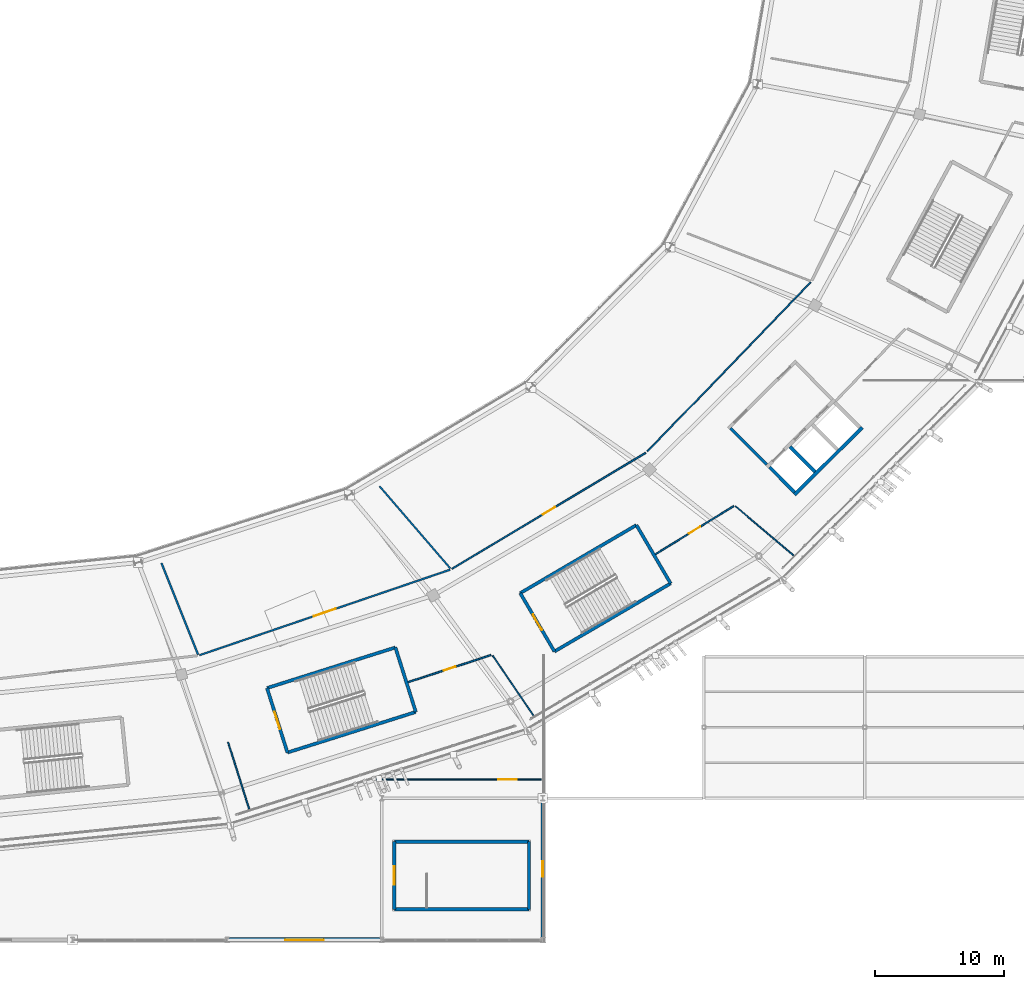
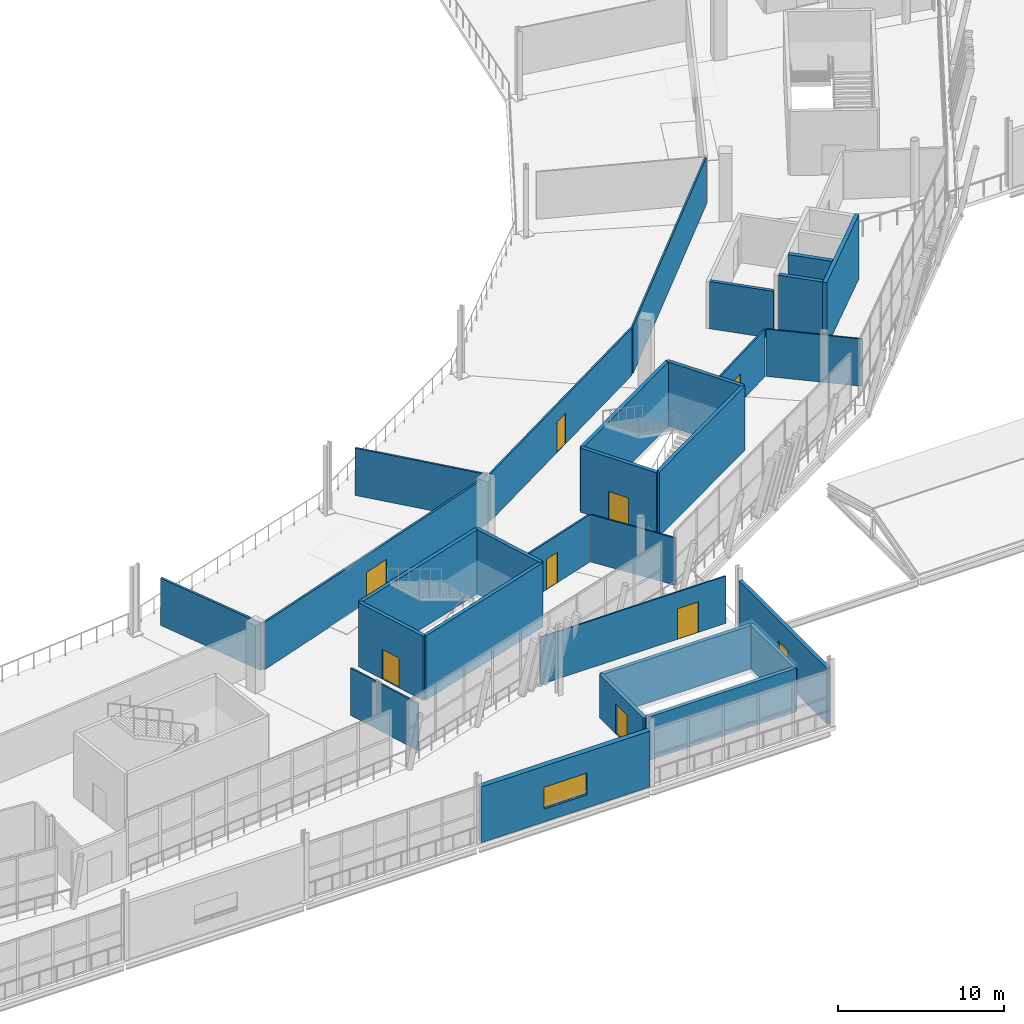
# One storey, part 129 of 179: 29 walls, 8 doors, 2 windows, 10 openings.
"""IFC4 building model written with IfcOpenShell, lengths in metres."""

from ifc_helpers import new_model, si_unit, direction, frame, frame_2d, origin, place, context, subcontext, project, spatial, rectangle, extrude, material, layer, layer_set, type_object, element, fill, save


model = new_model("IFC4")

# Units and contexts
model_context = context("Model", 3, precision=1e-05, world=origin(), true_north=direction((0.0, 1.0)))
body_context = subcontext(model_context, "Body", "Model", "MODEL_VIEW")
ifc_project = project(units=[si_unit("LENGTHUNIT", "METRE"), si_unit("AREAUNIT", "SQUARE_METRE"), si_unit("VOLUMEUNIT", "CUBIC_METRE"), si_unit("PLANEANGLEUNIT", "RADIAN"), si_unit("MASSUNIT", "GRAM", prefix="KILO")], contexts=[model_context])

# Site, building, storey
site_placement = place(None, origin())
site = spatial("IfcSite", under=ifc_project, at=site_placement, CompositionType="ELEMENT")
building_placement = place(site_placement, origin())
building = spatial("IfcBuilding", under=site, at=building_placement, Name="Zlatoyarsky Gate Stadium", CompositionType="ELEMENT")
storey_placement = place(building_placement, frame((0.0, 0.0, 10.60009765625)))
storey = spatial("IfcBuildingStorey", under=building, at=storey_placement, Name="L02", CompositionType="ELEMENT", Elevation=10.60009765625)

# Wall, opening, door
ifc_material_1 = material(Name="Anodised aluminium acoustic operable wall", Category="aluminium")
ifc_layer_1 = layer(ifc_material_1, 0.114990234375)
ifc_layer_set_1 = layer_set([ifc_layer_1], Name="Anodised aluminium acoustic operable wall")
wall_type_1 = type_object("IfcWallType", Name="ACOUSTIC OPERABLE SUITE WALL 115", PredefinedType="MOVABLE", material=ifc_layer_set_1)
wall_1_placement = place(storey_placement, frame((168.74609375, 29.935546875, 0.0), z_axis=(0.0, 0.0, 1.0), x_axis=(0.851775865218, 0.52390636132, 0.0)))
wall_1 = element("IfcWall", 1, at=wall_1_placement, inside=storey, type_object=wall_type_1, Name="L02 interior partition PRT-L02-OCC-20-1", PredefinedType="MOVABLE", context=body_context, shape_type="SweptSolid", body=[
    extrude(rectangle(XDim=7.1298828125, YDim=0.114990234375, at=frame_2d((3.56494140625, 0.0))), origin(), (0.0, 0.0, 1.0), 3.469970703125),
])
opening_1_placement = place(wall_1_placement, frame((3.0546875, 0.0, 0.0)))
opening_1 = element("IfcOpeningElement", 2, at=opening_1_placement, cuts=wall_1, Name="Opening D-L02-378", PredefinedType="OPENING", context=body_context, shape_type="SweptSolid", body=[
    extrude(rectangle(XDim=1.02001953125, YDim=2.10009765625, at=frame_2d((0.510009765625, 1.050048828125))), frame((0.0, 0.0673828125, 0.0), z_axis=(0.0, -1.0, 0.0), x_axis=(1.0, 0.0, 0.0)), (0.0, 0.0, 1.0), 0.135009765625),
])
ifc_material_2 = material(Name="Solid-core oak veneer acoustic door", Category="wood")
door_type_1 = type_object("IfcDoorType", Name="ACOUSTIC INTERIOR DOOR 1020X2100", OperationType="NOTDEFINED", PredefinedType="DOOR", material=ifc_material_2)
door_1_placement = place(opening_1_placement, origin())
door_1 = element("IfcDoor", 3, at=door_1_placement, inside=storey, type_object=door_type_1, Name="L02 room door D-L02-378", OperationType="SINGLE_SWING_RIGHT", OverallHeight=2.10009765625, OverallWidth=1.02001953125, PredefinedType="DOOR", context=body_context, shape_type="SweptSolid", body=[
    extrude(rectangle(XDim=1.02001953125, YDim=2.10009765625, at=frame_2d((0.510009765625, 1.050048828125))), frame((0.0, 0.02490234375, 0.0), z_axis=(0.0, -1.0, 0.0), x_axis=(1.0, 0.0, 0.0)), (0.0, 0.0, 1.0), 0.050048828125),
])
fill(opening_1, door_1)

ifc_material_3 = material(Name="Moisture-resistant masonry partition", Category="masonry")
ifc_layer_2 = layer(ifc_material_3, 0.139892578125)
ifc_layer_set_2 = layer_set([ifc_layer_2], Name="Moisture-resistant masonry partition")
wall_type_2 = type_object("IfcWallType", Name="ATHLETE CHANGING BLOCK PARTITION 140", PredefinedType="PARTITIONING", material=ifc_layer_set_2)
wall_2_placement = place(storey_placement, frame((133.356201171875, 22.09814453125, 0.0), z_axis=(0.0, 0.0, 1.0), x_axis=(0.946431250914, 0.322905384429, 0.0)))
wall_2 = element("IfcWall", 4, at=wall_2_placement, inside=storey, type_object=wall_type_2, Name="L02 interior partition PRT-L02-ICC-19", PredefinedType="PARTITIONING", context=body_context, shape_type="SweptSolid", body=[
    extrude(rectangle(XDim=20.552490234375, YDim=0.139892578125, at=frame_2d((10.2763671875, 0.0))), origin(), (0.0, 0.0, 1.0), 3.469970703125),
])
opening_2_placement = place(wall_2_placement, frame((9.3662109375, 0.0, 0.0)))
opening_2 = element("IfcOpeningElement", 5, at=opening_2_placement, cuts=wall_2, Name="Opening D-L02-333", PredefinedType="OPENING", context=body_context, shape_type="SweptSolid", body=[
    extrude(rectangle(XDim=1.820068359375, YDim=2.239990234375, at=frame_2d((0.91015625, 1.1201171875))), frame((0.0, 0.079833984375, 0.0), z_axis=(0.0, -1.0, 0.0), x_axis=(1.0, 0.0, 0.0)), (0.0, 0.0, 1.0), 0.159912109375),
])
ifc_material_4 = material(Name="Powder-coated steel fire door", Category="steel")
door_type_2 = type_object("IfcDoorType", Name="ACOUSTIC INTERIOR DOOR 1820X2240", OperationType="NOTDEFINED", PredefinedType="DOOR", material=ifc_material_4)
door_2_placement = place(opening_2_placement, origin())
door_2 = element("IfcDoor", 6, at=door_2_placement, inside=storey, type_object=door_type_2, Name="L02 room door D-L02-333", OperationType="SINGLE_SWING_RIGHT", OverallHeight=2.239990234375, OverallWidth=1.820068359375, PredefinedType="DOOR", context=body_context, shape_type="SweptSolid", body=[
    extrude(rectangle(XDim=1.820068359375, YDim=2.239990234375, at=frame_2d((0.91015625, 1.1201171875))), frame((0.0, 0.02490234375, 0.0), z_axis=(0.0, -1.0, 0.0), x_axis=(1.0, 0.0, 0.0)), (0.0, 0.0, 1.0), 0.050048828125),
])
fill(opening_2, door_2)

# Walls
ifc_material_5 = material(Name="Metal-stud gypsum partition", Category="gypsum")
ifc_layer_3 = layer(ifc_material_5, 0.14990234375)
ifc_layer_set_3 = layer_set([ifc_layer_3], Name="Metal-stud gypsum partition")
wall_type_3 = type_object("IfcWallType", Name="CONCOURSE CORRIDOR PARTITION 150", PredefinedType="PARTITIONING", material=ifc_layer_set_3)
wall_3_placement = place(storey_placement, frame((130.40576171875, 29.2451171875, 0.0), z_axis=(0.0, 0.0, 1.0), x_axis=(0.371412708479, -0.928467877732, 0.0)))
element("IfcWall", 7, at=wall_3_placement, inside=storey, type_object=wall_type_3, Name="L02 interior partition PRT-L02-IRD-19", PredefinedType="PARTITIONING", context=body_context, shape_type="SweptSolid", body=[
    extrude(rectangle(XDim=7.64208984375, YDim=0.14990234375, at=frame_2d((3.821044921875, 0.0))), origin(), (0.0, 0.0, 1.0), 3.469970703125),
])
ifc_material_6 = material(Name="Concrete C40/50", Category="concrete")
ifc_layer_4 = layer(ifc_material_6, 0.27001953125)
ifc_layer_set_4 = layer_set([ifc_layer_4], Name="Concrete C40/50")
wall_type_4 = type_object("IfcWallType", Name="CONCRETE LIFT SHAFT SHEAR WALL 270", PredefinedType="SHEAR", material=ifc_layer_set_4)
wall_4_placement = place(storey_placement, frame((179.547119140625, 34.556396484375, 0.0), z_axis=(0.0, 0.0, 1.0), x_axis=(0.708902567846, 0.705306422274, 0.0)))
element("IfcWall", 8, at=wall_4_placement, inside=storey, type_object=wall_type_4, Name="C4 L02 lift shaft rear wall", PredefinedType="SHEAR", context=body_context, shape_type="SweptSolid", body=[
    extrude(rectangle(XDim=7.39990234375, YDim=0.27001953125, at=frame_2d((3.699951171875, 0.0))), origin(), (0.0, 0.0, 1.0), 4.719970703125),
])
for number, where, z_axis, x_axis, name in (
    (9, (179.54052734375, 34.75439453125, 0.0), (0.0, 0.0, 1.0), (-0.705322518225, 0.708886553183, 0.0), "C4 L02 lift shaft left wall"),
    (10, (181.12841796875, 36.334228515625, 0.0), (0.0, 0.0, 1.0), (-0.705322518225, 0.708886553183, 0.0), "C4 L02 lift shaft divider 1"),
):
    element("IfcWall", number, at=place(storey_placement, frame(where, z_axis=z_axis, x_axis=x_axis)), inside=storey, type_object=wall_type_4, Name=name, PredefinedType="SHEAR", context=body_context, shape_type="SweptSolid", body=[
        extrude(rectangle(XDim=2.739990234375, YDim=0.27001953125, at=frame_2d((1.3701171875, 0.0))), origin(), (0.0, 0.0, 1.0), 4.719970703125),
    ])

# Wall, opening, door
ifc_layer_5 = layer(ifc_material_6, 0.25)
ifc_layer_set_5 = layer_set([ifc_layer_5], Name="Concrete C40/50")
wall_type_5 = type_object("IfcWallType", Name="CONCRETE STAIR CORE SHEAR WALL 250", PredefinedType="SHEAR", material=ifc_layer_set_5)
wall_5_placement = place(storey_placement, frame((158.25341796875, 26.916015625, 0.0), z_axis=(0.0, 0.0, 1.0), x_axis=(0.505460490551, -0.862849750821, 0.0)))
wall_5 = element("IfcWall", 11, at=wall_5_placement, inside=storey, type_object=wall_type_5, Name="ST-11 L02 stair core entrance shear wall", PredefinedType="SHEAR", context=body_context, shape_type="SweptSolid", body=[
    extrude(rectangle(XDim=5.249755859375, YDim=0.25, at=frame_2d((2.625, 0.0))), origin(), (0.0, 0.0, 1.0), 4.719970703125),
])
opening_3_placement = place(wall_5_placement, frame((1.925048828125, 0.0, 0.0)))
opening_3 = element("IfcOpeningElement", 12, at=opening_3_placement, cuts=wall_5, Name="Opening SD-ST-11-L02", PredefinedType="OPENING", context=body_context, shape_type="SweptSolid", body=[
    extrude(rectangle(XDim=1.39990234375, YDim=2.199951171875, at=frame_2d((0.699951171875, 1.10009765625))), frame((0.0, 0.135009765625, 0.0), z_axis=(0.0, -1.0, 0.0), x_axis=(1.0, 0.0, 0.0)), (0.0, 0.0, 1.0), 0.27001953125),
])
door_type_3 = type_object("IfcDoorType", Name="STAIR CORE FIRE EXIT DOOR 1400X2200", OperationType="NOTDEFINED", PredefinedType="DOOR", material=ifc_material_4)
door_3_placement = place(opening_3_placement, frame((1.39990234375, 0.0, 0.0), z_axis=(0.0, 0.0, 1.0), x_axis=(-1.0, 0.0, 0.0)))
door_3 = element("IfcDoor", 13, at=door_3_placement, inside=storey, type_object=door_type_3, Name="ST-11 L02 stair fire door", OperationType="SINGLE_SWING_RIGHT", OverallHeight=2.199951171875, OverallWidth=1.39990234375, PredefinedType="DOOR", context=body_context, shape_type="SweptSolid", body=[
    extrude(rectangle(XDim=1.39990234375, YDim=2.199951171875, at=frame_2d((0.699951171875, 1.10009765625))), frame((0.0, 0.02490234375, 0.0), z_axis=(0.0, -1.0, 0.0), x_axis=(1.0, 0.0, 0.0)), (0.0, 0.0, 1.0), 0.050048828125),
])
fill(opening_3, door_3)

# Walls
wall_6_placement = place(storey_placement, frame((160.906982421875, 22.38623046875, 0.0), z_axis=(0.0, 0.0, 1.0), x_axis=(0.862854686184, 0.505452065513, 0.0)))
element("IfcWall", 14, at=wall_6_placement, inside=storey, type_object=wall_type_5, Name="ST-11 L02 stair core left shear wall", PredefinedType="SHEAR", context=body_context, shape_type="SweptSolid", body=[
    extrude(rectangle(XDim=10.449951171875, YDim=0.25, at=frame_2d((5.22509765625, 0.0))), origin(), (0.0, 0.0, 1.0), 4.719970703125),
])
wall_7_placement = place(storey_placement, frame((169.923828125, 27.668212890625, 0.0), z_axis=(0.0, 0.0, 1.0), x_axis=(-0.505474830399, 0.862841350327, 0.0)))
element("IfcWall", 15, at=wall_7_placement, inside=storey, type_object=wall_type_5, Name="ST-11 L02 stair core far shear wall", PredefinedType="SHEAR", context=body_context, shape_type="SweptSolid", body=[
    extrude(rectangle(XDim=5.250244140625, YDim=0.25, at=frame_2d((2.625, 0.0))), origin(), (0.0, 0.0, 1.0), 4.719970703125),
])
wall_8_placement = place(storey_placement, frame((167.27001953125, 32.1982421875, 0.0), z_axis=(0.0, 0.0, 1.0), x_axis=(-0.862838527648, -0.505479648657, 0.0)))
element("IfcWall", 16, at=wall_8_placement, inside=storey, type_object=wall_type_5, Name="ST-11 L02 stair core right shear wall", PredefinedType="SHEAR", context=body_context, shape_type="SweptSolid", body=[
    extrude(rectangle(XDim=10.449951171875, YDim=0.25, at=frame_2d((5.22509765625, 0.0))), origin(), (0.0, 0.0, 1.0), 4.719970703125),
])

# Wall, opening, door
wall_9_placement = place(storey_placement, frame((138.599609375, 19.5478515625, 0.0), z_axis=(0.0, 0.0, 1.0), x_axis=(0.30152749866, -0.953457480726, 0.0)))
wall_9 = element("IfcWall", 17, at=wall_9_placement, inside=storey, type_object=wall_type_5, Name="ST-16 L02 stair core entrance shear wall", PredefinedType="SHEAR", context=body_context, shape_type="SweptSolid", body=[
    extrude(rectangle(XDim=5.25, YDim=0.25, at=frame_2d((2.625, 0.0))), origin(), (0.0, 0.0, 1.0), 4.719970703125),
])
opening_4_placement = place(wall_9_placement, frame((1.925048828125, 0.0, 0.0)))
opening_4 = element("IfcOpeningElement", 18, at=opening_4_placement, cuts=wall_9, Name="Opening SD-ST-16-L02", PredefinedType="OPENING", context=body_context, shape_type="SweptSolid", body=[
    extrude(rectangle(XDim=1.39990234375, YDim=2.199951171875, at=frame_2d((0.699951171875, 1.10009765625))), frame((0.0, 0.135009765625, 0.0), z_axis=(0.0, -1.0, 0.0), x_axis=(1.0, 0.0, 0.0)), (0.0, 0.0, 1.0), 0.27001953125),
])
door_4_placement = place(opening_4_placement, frame((1.39990234375, 0.0, 0.0), z_axis=(0.0, 0.0, 1.0), x_axis=(-1.0, 0.0, 0.0)))
door_4 = element("IfcDoor", 19, at=door_4_placement, inside=storey, type_object=door_type_3, Name="ST-16 L02 stair fire door", OperationType="SINGLE_SWING_RIGHT", OverallHeight=2.199951171875, OverallWidth=1.39990234375, PredefinedType="DOOR", context=body_context, shape_type="SweptSolid", body=[
    extrude(rectangle(XDim=1.39990234375, YDim=2.199951171875, at=frame_2d((0.699951171875, 1.10009765625))), frame((0.0, 0.02490234375, 0.0), z_axis=(0.0, -1.0, 0.0), x_axis=(1.0, 0.0, 0.0)), (0.0, 0.0, 1.0), 0.050048828125),
])
fill(opening_4, door_4)

# Walls
wall_10_placement = place(storey_placement, frame((140.1826171875, 14.542236328125, 0.0), z_axis=(0.0, 0.0, 1.0), x_axis=(0.953459710305, 0.301520448438, 0.0)))
element("IfcWall", 20, at=wall_10_placement, inside=storey, type_object=wall_type_5, Name="ST-16 L02 stair core left shear wall", PredefinedType="SHEAR", context=body_context, shape_type="SweptSolid", body=[
    extrude(rectangle(XDim=10.449951171875, YDim=0.25, at=frame_2d((5.22509765625, 0.0))), origin(), (0.0, 0.0, 1.0), 4.719970703125),
])
wall_11_placement = place(storey_placement, frame((150.146240234375, 17.693115234375, 0.0), z_axis=(0.0, 0.0, 1.0), x_axis=(-0.30152749866, 0.953457480726, 0.0)))
element("IfcWall", 21, at=wall_11_placement, inside=storey, type_object=wall_type_5, Name="ST-16 L02 stair core far shear wall", PredefinedType="SHEAR", context=body_context, shape_type="SweptSolid", body=[
    extrude(rectangle(XDim=5.25, YDim=0.25, at=frame_2d((2.625, 0.0))), origin(), (0.0, 0.0, 1.0), 4.719970703125),
])
wall_12_placement = place(storey_placement, frame((148.563232421875, 22.69873046875, 0.0), z_axis=(0.0, 0.0, 1.0), x_axis=(-0.953459710305, -0.301520448438, 0.0)))
element("IfcWall", 22, at=wall_12_placement, inside=storey, type_object=wall_type_5, Name="ST-16 L02 stair core right shear wall", PredefinedType="SHEAR", context=body_context, shape_type="SweptSolid", body=[
    extrude(rectangle(XDim=10.449951171875, YDim=0.25, at=frame_2d((5.22509765625, 0.0))), origin(), (0.0, 0.0, 1.0), 4.719970703125),
])

# Wall, opening, door
wall_13_placement = place(storey_placement, frame((148.47509765625, 7.625, 0.0), z_axis=(0.0, 0.0, 1.0), x_axis=(0.0, -1.0, 0.0)))
wall_13 = element("IfcWall", 23, at=wall_13_placement, inside=storey, type_object=wall_type_5, Name="ST-30 L02 stair core entrance shear wall", PredefinedType="SHEAR", context=body_context, shape_type="SweptSolid", body=[
    extrude(rectangle(XDim=5.25, YDim=0.25, at=frame_2d((2.625, 0.0))), origin(), (0.0, 0.0, 1.0), 3.199951171875),
])
opening_5_placement = place(wall_13_placement, frame((1.925048828125, 0.0, 0.0)))
opening_5 = element("IfcOpeningElement", 24, at=opening_5_placement, cuts=wall_13, Name="Opening SD-ST-30-L02", PredefinedType="OPENING", context=body_context, shape_type="SweptSolid", body=[
    extrude(rectangle(XDim=1.39990234375, YDim=2.199951171875, at=frame_2d((0.699951171875, 1.10009765625))), frame((0.0, 0.135009765625, 0.0), z_axis=(0.0, -1.0, 0.0), x_axis=(1.0, 0.0, 0.0)), (0.0, 0.0, 1.0), 0.27001953125),
])
door_5_placement = place(opening_5_placement, frame((1.39990234375, 0.0, 0.0), z_axis=(0.0, 0.0, 1.0), x_axis=(-1.0, 0.0, 0.0)))
door_5 = element("IfcDoor", 25, at=door_5_placement, inside=storey, type_object=door_type_3, Name="ST-30 L02 stair fire door", OperationType="SINGLE_SWING_RIGHT", OverallHeight=2.199951171875, OverallWidth=1.39990234375, PredefinedType="DOOR", context=body_context, shape_type="SweptSolid", body=[
    extrude(rectangle(XDim=1.39990234375, YDim=2.199951171875, at=frame_2d((0.699951171875, 1.10009765625))), frame((0.0, 0.02490234375, 0.0), z_axis=(0.0, -1.0, 0.0), x_axis=(1.0, 0.0, 0.0)), (0.0, 0.0, 1.0), 0.050048828125),
])
fill(opening_5, door_5)

# Walls
wall_14_placement = place(storey_placement, frame((148.47509765625, 2.375, 0.0), z_axis=(0.0, 0.0, 1.0), x_axis=(1.0, 0.0, 0.0)))
element("IfcWall", 26, at=wall_14_placement, inside=storey, type_object=wall_type_5, Name="ST-30 L02 stair core left shear wall", PredefinedType="SHEAR", context=body_context, shape_type="SweptSolid", body=[
    extrude(rectangle(XDim=10.449951171875, YDim=0.25, at=frame_2d((5.22509765625, 0.0))), origin(), (0.0, 0.0, 1.0), 3.199951171875),
])
wall_15_placement = place(storey_placement, frame((158.925048828125, 2.375, 0.0), z_axis=(0.0, 0.0, 1.0), x_axis=(0.0, 1.0, 0.0)))
element("IfcWall", 27, at=wall_15_placement, inside=storey, type_object=wall_type_5, Name="ST-30 L02 stair core far shear wall", PredefinedType="SHEAR", context=body_context, shape_type="SweptSolid", body=[
    extrude(rectangle(XDim=5.25, YDim=0.25, at=frame_2d((2.625, 0.0))), origin(), (0.0, 0.0, 1.0), 3.199951171875),
])
wall_16_placement = place(storey_placement, frame((158.925048828125, 7.625, 0.0), z_axis=(0.0, 0.0, 1.0), x_axis=(-1.0, 0.0, 0.0)))
element("IfcWall", 28, at=wall_16_placement, inside=storey, type_object=wall_type_5, Name="ST-30 L02 stair core right shear wall", PredefinedType="SHEAR", context=body_context, shape_type="SweptSolid", body=[
    extrude(rectangle(XDim=10.449951171875, YDim=0.25, at=frame_2d((5.22509765625, 0.0))), origin(), (0.0, 0.0, 1.0), 3.199951171875),
])
ifc_material_7 = material(Name="Autoclaved aerated concrete masonry EI 120", Category="masonry")
ifc_layer_6 = layer(ifc_material_7, 0.219970703125)
ifc_layer_set_6 = layer_set([ifc_layer_6], Name="Autoclaved aerated concrete masonry EI 120")
wall_type_6 = type_object("IfcWallType", Name="FIREFIGHTING LOBBY RATED WALL 220", PredefinedType="PARTITIONING", material=ifc_layer_set_6)
wall_17_placement = place(storey_placement, frame((177.378662109375, 36.8916015625, 0.0), z_axis=(0.0, 0.0, 1.0), x_axis=(-0.705294916294, 0.708914015273, 0.0)))
element("IfcWall", 29, at=wall_17_placement, inside=storey, type_object=wall_type_6, Name="C4 L02 firefighting lobby left wall", PredefinedType="PARTITIONING", context=body_context, shape_type="SweptSolid", body=[
    extrude(rectangle(XDim=3.97998046875, YDim=0.219970703125, at=frame_2d((1.989990234375, 0.0))), origin(), (0.0, 0.0, 1.0), 3.469970703125),
])
ifc_material_8 = material(Name="Timber-veneered acoustic operable partition", Category="wood")
ifc_layer_7 = layer(ifc_material_8, 0.094970703125)
ifc_layer_set_7 = layer_set([ifc_layer_7], Name="Timber-veneered acoustic operable partition")
wall_type_7 = type_object("IfcWallType", Name="FOLDING BANQUET SALON WALL 95", PredefinedType="MOVABLE", material=ifc_layer_set_7)
wall_18_placement = place(storey_placement, frame((174.956298828125, 33.660400390625, 0.0), z_axis=(0.0, 0.0, 1.0), x_axis=(0.762794558075, -0.646640906664, 0.0)))
element("IfcWall", 30, at=wall_18_placement, inside=storey, type_object=wall_type_7, Name="L02 interior partition PRT-L02-ORD-20R", PredefinedType="MOVABLE", context=body_context, shape_type="SweptSolid", body=[
    extrude(rectangle(XDim=5.9189453125, YDim=0.094970703125, at=frame_2d((2.95947265625, 0.0))), origin(), (0.0, 0.0, 1.0), 3.469970703125),
])

# Wall, opening, door
wall_19_placement = place(storey_placement, frame((147.01806640625, 12.449951171875, 0.0), z_axis=(0.0, 0.0, 1.0), x_axis=(1.0, 0.0, 0.0)))
wall_19 = element("IfcWall", 31, at=wall_19_placement, inside=storey, type_object=wall_type_7, Name="L02 interior partition PRT-L02-V3SC-N2", PredefinedType="MOVABLE", context=body_context, shape_type="SweptSolid", body=[
    extrude(rectangle(XDim=12.876953125, YDim=0.094970703125, at=frame_2d((6.4384765625, 0.0))), origin(), (0.0, 0.0, 1.0), 3.469970703125),
])
opening_6_placement = place(wall_19_placement, frame((9.52685546875, 0.0, 0.0)))
opening_6 = element("IfcOpeningElement", 32, at=opening_6_placement, cuts=wall_19, Name="Opening D-L02-389", PredefinedType="OPENING", context=body_context, shape_type="SweptSolid", body=[
    extrude(rectangle(XDim=1.43994140625, YDim=2.239990234375, at=frame_2d((0.719970703125, 1.1201171875))), frame((0.0, 0.057373046875, 0.0), z_axis=(0.0, -1.0, 0.0), x_axis=(1.0, 0.0, 0.0)), (0.0, 0.0, 1.0), 0.114990234375),
])
door_type_4 = type_object("IfcDoorType", Name="ACOUSTIC INTERIOR DOOR 1440X2240", OperationType="NOTDEFINED", PredefinedType="DOOR", material=ifc_material_2)
door_6_placement = place(opening_6_placement, origin())
door_6 = element("IfcDoor", 33, at=door_6_placement, inside=storey, type_object=door_type_4, Name="L02 room door D-L02-389", OperationType="SINGLE_SWING_LEFT", OverallHeight=2.239990234375, OverallWidth=1.43994140625, PredefinedType="DOOR", context=body_context, shape_type="SweptSolid", body=[
    extrude(rectangle(XDim=1.43994140625, YDim=2.239990234375, at=frame_2d((0.719970703125, 1.1201171875))), frame((0.0, 0.02490234375, 0.0), z_axis=(0.0, -1.0, 0.0), x_axis=(1.0, 0.0, 0.0)), (0.0, 0.0, 1.0), 0.050048828125),
])
fill(opening_6, door_6)

# Walls
ifc_layer_8 = layer(ifc_material_5, 0.110107421875)
ifc_layer_set_8 = layer_set([ifc_layer_8], Name="Metal-stud gypsum partition")
wall_type_8 = type_object("IfcWallType", Name="KIOSK SERVICE PARTITION 110", PredefinedType="PARTITIONING", material=ifc_layer_set_8)
wall_20_placement = place(storey_placement, frame((168.126220703125, 37.913818359375, 0.0), z_axis=(0.0, 0.0, 1.0), x_axis=(0.694152902324, 0.719827582269, 0.0)))
element("IfcWall", 34, at=wall_20_placement, inside=storey, type_object=wall_type_8, Name="L02 interior partition PRT-L02-ICC-21M", PredefinedType="PARTITIONING", context=body_context, shape_type="SweptSolid", body=[
    extrude(rectangle(XDim=18.247802734375, YDim=0.110107421875, at=frame_2d((9.1240234375, 0.0))), origin(), (0.0, 0.0, 1.0), 3.469970703125),
])
wall_21_placement = place(storey_placement, frame((135.573974609375, 15.342529296875, 0.0), z_axis=(0.0, 0.0, 1.0), x_axis=(0.30132557839, -0.953521313767, 0.0)))
element("IfcWall", 35, at=wall_21_placement, inside=storey, type_object=wall_type_8, Name="L02 interior partition PRT-L02-ORD-19L", PredefinedType="PARTITIONING", context=body_context, shape_type="SweptSolid", body=[
    extrude(rectangle(XDim=5.474609375, YDim=0.110107421875, at=frame_2d((2.7373046875, 0.0))), origin(), (0.0, 0.0, 1.0), 3.469970703125),
])
ifc_layer_9 = layer(ifc_material_5, 0.10009765625)
ifc_layer_set_9 = layer_set([ifc_layer_9], Name="Metal-stud gypsum partition")
wall_type_9 = type_object("IfcWallType", Name="LIGHT STORAGE PARTITION 100", PredefinedType="PARTITIONING", material=ifc_layer_set_9)
wall_22_placement = place(storey_placement, frame((156.11083984375, 22.064697265625, 0.0), z_axis=(0.0, 0.0, 1.0), x_axis=(0.562852959549, -0.826557043359, 0.0)))
element("IfcWall", 36, at=wall_22_placement, inside=storey, type_object=wall_type_9, Name="L02 interior partition PRT-L02-ORD-19R", PredefinedType="PARTITIONING", context=body_context, shape_type="SweptSolid", body=[
    extrude(rectangle(XDim=5.668701171875, YDim=0.10009765625, at=frame_2d((2.83447265625, 0.0))), origin(), (0.0, 0.0, 1.0), 3.469970703125),
])

# Wall, opening, window
ifc_material_9 = material(Name="Limestone-faced insulated masonry wall", Category="masonry")
ifc_layer_10 = layer(ifc_material_9, 0.360107421875)
ifc_layer_set_10 = layer_set([ifc_layer_10], Name="Limestone-faced insulated masonry wall")
wall_type_10 = type_object("IfcWallType", Name="LIMESTONE CLAD CAVITY WALL 360", PredefinedType="STANDARD", material=ifc_layer_set_10)
wall_23_placement = place(storey_placement, frame((135.64697265625, 0.0, 0.0), z_axis=(0.0, 0.0, 1.0), x_axis=(1.0, 0.0, 0.0)))
wall_23 = element("IfcWall", 37, at=wall_23_placement, inside=storey, type_object=wall_type_10, Name="V3_SOUTH L02 S exterior wall", PredefinedType="STANDARD", context=body_context, shape_type="SweptSolid", body=[
    extrude(rectangle(XDim=11.7060546875, YDim=0.360107421875, at=frame_2d((5.85302734375, 0.0))), origin(), (0.0, 0.0, 1.0), 4.099853515625),
])
opening_7_placement = place(wall_23_placement, frame((4.35302734375, 0.0, 0.949951171875)))
opening_7 = element("IfcOpeningElement", 38, at=opening_7_placement, cuts=wall_23, Name="Opening WN-26", PredefinedType="OPENING", context=body_context, shape_type="SweptSolid", body=[
    extrude(rectangle(XDim=3.0, YDim=1.60009765625, at=frame_2d((1.5, 0.800048828125))), frame((0.0, 0.18994140625, 0.0), z_axis=(0.0, -1.0, 0.0), x_axis=(1.0, 0.0, 0.0)), (0.0, 0.0, 1.0), 0.380126953125),
])
ifc_material_10 = material(Name="Triple-glazed thermally broken aluminium window", Category="aluminium")
window_type_1 = type_object("IfcWindowType", Name="TRIPLE GLAZED ALUMINIUM WINDOW 3000X1600", PartitioningType="SINGLE_PANEL", PredefinedType="WINDOW", material=ifc_material_10)
window_1_placement = place(opening_7_placement, origin())
window_1 = element("IfcWindow", 39, at=window_1_placement, inside=storey, type_object=window_type_1, Name="Exterior window WIN-L02-026", OverallHeight=1.60009765625, OverallWidth=3.0, PartitioningType="SINGLE_PANEL", PredefinedType="WINDOW", context=body_context, shape_type="SweptSolid", body=[
    extrude(rectangle(XDim=3.0, YDim=1.60009765625, at=frame_2d((1.5, 0.800048828125))), frame((0.0, 0.030029296875, 0.0), z_axis=(0.0, -1.0, 0.0), x_axis=(1.0, 0.0, 0.0)), (0.0, 0.0, 1.0), 0.06005859375),
])
fill(opening_7, window_1)

# Wall, opening, door
ifc_layer_11 = layer(ifc_material_5, 0.1201171875)
ifc_layer_set_11 = layer_set([ifc_layer_11], Name="Metal-stud gypsum partition")
wall_type_11 = type_object("IfcWallType", Name="OFFICE AND PRESS PARTITION 120", PredefinedType="PARTITIONING", material=ifc_layer_set_11)
wall_24_placement = place(storey_placement, frame((152.9609375, 28.8056640625, 0.0), z_axis=(0.0, 0.0, 1.0), x_axis=(0.857917981931, 0.513786664171, 0.0)))
wall_24 = element("IfcWall", 40, at=wall_24_placement, inside=storey, type_object=wall_type_11, Name="L02 interior partition PRT-L02-ICC-20", PredefinedType="PARTITIONING", context=body_context, shape_type="SweptSolid", body=[
    extrude(rectangle(XDim=17.523193359375, YDim=0.1201171875, at=frame_2d((8.76171875, 0.0))), origin(), (0.0, 0.0, 1.0), 3.469970703125),
])
opening_8_placement = place(wall_24_placement, frame((8.2216796875, 0.0, 0.0)))
opening_8 = element("IfcOpeningElement", 41, at=opening_8_placement, cuts=wall_24, Name="Opening D-L02-335", PredefinedType="OPENING", context=body_context, shape_type="SweptSolid", body=[
    extrude(rectangle(XDim=1.080078125, YDim=2.239990234375, at=frame_2d((0.5400390625, 1.1201171875))), frame((0.0, 0.070068359375, 0.0), z_axis=(0.0, -1.0, 0.0), x_axis=(1.0, 0.0, 0.0)), (0.0, 0.0, 1.0), 0.14013671875),
])
door_type_5 = type_object("IfcDoorType", Name="ACOUSTIC INTERIOR DOOR 1080X2240", OperationType="NOTDEFINED", PredefinedType="DOOR", material=ifc_material_2)
door_7_placement = place(opening_8_placement, origin())
door_7 = element("IfcDoor", 42, at=door_7_placement, inside=storey, type_object=door_type_5, Name="L02 room door D-L02-335", OperationType="SINGLE_SWING_LEFT", OverallHeight=2.239990234375, OverallWidth=1.080078125, PredefinedType="DOOR", context=body_context, shape_type="SweptSolid", body=[
    extrude(rectangle(XDim=1.080078125, YDim=2.239990234375, at=frame_2d((0.5400390625, 1.1201171875))), frame((0.0, 0.02490234375, 0.0), z_axis=(0.0, -1.0, 0.0), x_axis=(1.0, 0.0, 0.0)), (0.0, 0.0, 1.0), 0.050048828125),
])
fill(opening_8, door_7)

wall_25_placement = place(storey_placement, frame((149.551513671875, 20.004638671875, 0.0), z_axis=(0.0, 0.0, 1.0), x_axis=(0.950436489512, 0.310918766567, 0.0)))
wall_25 = element("IfcWall", 43, at=wall_25_placement, inside=storey, type_object=wall_type_11, Name="L02 interior partition PRT-L02-OCC-19-1", PredefinedType="PARTITIONING", context=body_context, shape_type="SweptSolid", body=[
    extrude(rectangle(XDim=6.766357421875, YDim=0.1201171875, at=frame_2d((3.38330078125, 0.0))), origin(), (0.0, 0.0, 1.0), 3.469970703125),
])
opening_9_placement = place(wall_25_placement, frame((2.903076171875, 0.0, 0.0)))
opening_9 = element("IfcOpeningElement", 44, at=opening_9_placement, cuts=wall_25, Name="Opening D-L02-375", PredefinedType="OPENING", context=body_context, shape_type="SweptSolid", body=[
    extrude(rectangle(XDim=0.9599609375, YDim=2.239990234375, at=frame_2d((0.47998046875, 1.1201171875))), frame((0.0, 0.070068359375, 0.0), z_axis=(0.0, -1.0, 0.0), x_axis=(1.0, 0.0, 0.0)), (0.0, 0.0, 1.0), 0.14013671875),
])
door_type_6 = type_object("IfcDoorType", Name="ACOUSTIC INTERIOR DOOR 960X2240", OperationType="NOTDEFINED", PredefinedType="DOOR", material=ifc_material_2)
door_8_placement = place(opening_9_placement, origin())
door_8 = element("IfcDoor", 45, at=door_8_placement, inside=storey, type_object=door_type_6, Name="L02 room door D-L02-375", OperationType="SINGLE_SWING_LEFT", OverallHeight=2.239990234375, OverallWidth=0.9599609375, PredefinedType="DOOR", context=body_context, shape_type="SweptSolid", body=[
    extrude(rectangle(XDim=0.9599609375, YDim=2.239990234375, at=frame_2d((0.47998046875, 1.1201171875))), frame((0.0, 0.02490234375, 0.0), z_axis=(0.0, -1.0, 0.0), x_axis=(1.0, 0.0, 0.0)), (0.0, 0.0, 1.0), 0.050048828125),
])
fill(opening_9, door_8)

# Wall, opening, window
ifc_layer_12 = layer(ifc_material_9, 0.260009765625)
ifc_layer_set_12 = layer_set([ifc_layer_12], Name="Limestone-faced insulated masonry wall")
wall_type_12 = type_object("IfcWallType", Name="PORTICO COLONNADE PLINTH WALL 260", PredefinedType="STANDARD", material=ifc_layer_set_12)
wall_26_placement = place(storey_placement, frame((160.0, 0.197021484375, 0.0), z_axis=(0.0, 0.0, 1.0), x_axis=(0.0, 1.0, 0.0)))
wall_26 = element("IfcWall", 46, at=wall_26_placement, inside=storey, type_object=wall_type_12, Name="V3_SOUTH L02 E exterior wall", PredefinedType="STANDARD", context=body_context, shape_type="SweptSolid", body=[
    extrude(rectangle(XDim=10.60595703125, YDim=0.260009765625, at=frame_2d((5.302978515625, 0.0))), origin(), (0.0, 0.0, 1.0), 4.099853515625),
])
opening_10_placement = place(wall_26_placement, frame((4.702880859375, 0.0, 0.949951171875)))
opening_10 = element("IfcOpeningElement", 47, at=opening_10_placement, cuts=wall_26, Name="Opening WN-02", PredefinedType="OPENING", context=body_context, shape_type="SweptSolid", body=[
    extrude(rectangle(XDim=1.199951171875, YDim=1.60009765625, at=frame_2d((0.60009765625, 0.800048828125))), frame((0.0, 0.139892578125, 0.0), z_axis=(0.0, -1.0, 0.0), x_axis=(1.0, 0.0, 0.0)), (0.0, 0.0, 1.0), 0.280029296875),
])
window_type_2 = type_object("IfcWindowType", Name="TRIPLE GLAZED ALUMINIUM WINDOW 1200X1600", PartitioningType="SINGLE_PANEL", PredefinedType="WINDOW", material=ifc_material_10)
window_2_placement = place(opening_10_placement, origin())
window_2 = element("IfcWindow", 48, at=window_2_placement, inside=storey, type_object=window_type_2, Name="Exterior window WIN-L02-030", OverallHeight=1.60009765625, OverallWidth=1.199951171875, PartitioningType="SINGLE_PANEL", PredefinedType="WINDOW", context=body_context, shape_type="SweptSolid", body=[
    extrude(rectangle(XDim=1.199951171875, YDim=1.60009765625, at=frame_2d((0.60009765625, 0.800048828125))), frame((0.0, 0.030029296875, 0.0), z_axis=(0.0, -1.0, 0.0), x_axis=(1.0, 0.0, 0.0)), (0.0, 0.0, 1.0), 0.06005859375),
])
fill(opening_10, window_2)

# Wall
ifc_material_11 = material(Name="Moisture-resistant tile-backed partition", Category="gypsum")
ifc_layer_13 = layer(ifc_material_11, 0.1298828125)
ifc_layer_set_13 = layer_set([ifc_layer_13], Name="Moisture-resistant tile-backed partition")
wall_type_13 = type_object("IfcWallType", Name="SANITARY WET ROOM PARTITION 130", PredefinedType="PARTITIONING", material=ifc_layer_set_13)
wall_27_placement = place(storey_placement, frame((147.333984375, 35.209228515625, 0.0), z_axis=(0.0, 0.0, 1.0), x_axis=(0.652674734668, -0.757638232091, 0.0)))
element("IfcWall", 49, at=wall_27_placement, inside=storey, type_object=wall_type_13, Name="L02 interior partition PRT-L02-IRD-20", PredefinedType="PARTITIONING", context=body_context, shape_type="SweptSolid", body=[
    extrude(rectangle(XDim=8.424560546875, YDim=0.1298828125, at=frame_2d((4.21240234375, 0.0))), origin(), (0.0, 0.0, 1.0), 3.469970703125),
])

save(model, "model.ifc")
